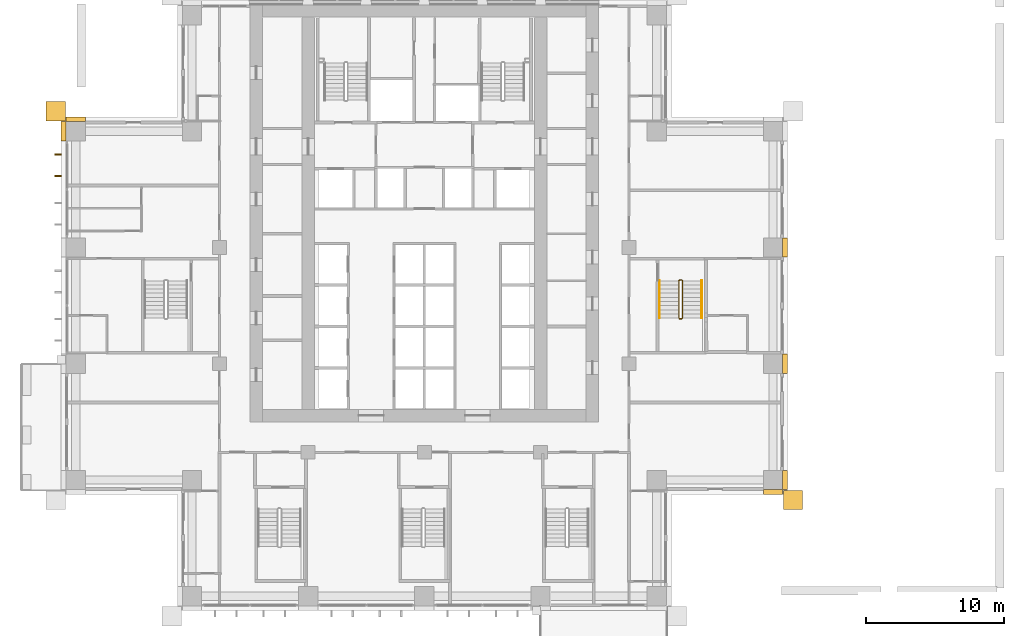
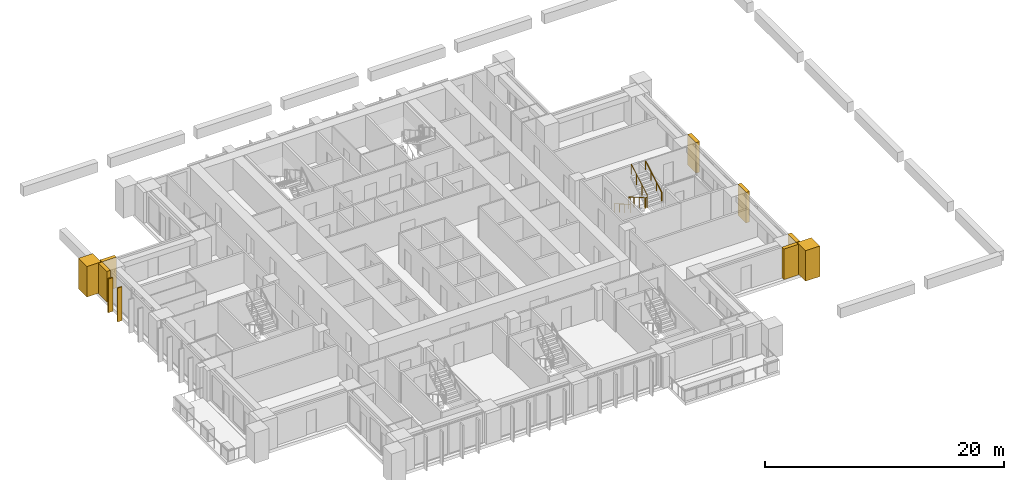
# One storey, part 17 of 18: 10 coverings, 3 railings.
"""IFC4 building model written with IfcOpenShell, lengths in metres."""

from ifc_helpers import new_model, si_unit, direction, frame, origin, origin_2d, place, context, subcontext, project, spatial, polyline, rectangle, outline, extrude, material, layer, layer_set, type_object, element, save


model = new_model("IFC4")

# Units and contexts
model_context = context("Model", 3, precision=1e-05, world=origin(), true_north=direction((0.0, 1.0)))
body_context = subcontext(model_context, "Body", "Model", "MODEL_VIEW")
ifc_project = project(units=[si_unit("LENGTHUNIT", "METRE"), si_unit("AREAUNIT", "SQUARE_METRE"), si_unit("VOLUMEUNIT", "CUBIC_METRE"), si_unit("PLANEANGLEUNIT", "RADIAN"), si_unit("MASSUNIT", "GRAM", prefix="KILO")], contexts=[model_context])

# Site, building, storey
site_placement = place(None, origin())
site = spatial("IfcSite", under=ifc_project, at=site_placement, CompositionType="ELEMENT")
building_placement = place(site_placement, origin())
building = spatial("IfcBuilding", under=site, at=building_placement, Name="Vermilion Ogive Tower", CompositionType="ELEMENT")
storey_placement = place(building_placement, frame((0.0, 0.0, 34.5)))
storey = spatial("IfcBuildingStorey", under=building, at=storey_placement, Name="L06", CompositionType="ELEMENT", Elevation=34.5)

# Coverings
ifc_material_1 = material(Name="Glazed ceramic screen")
ifc_layer = layer(ifc_material_1, 0.14990234375)
ifc_layer_set = layer_set([ifc_layer], Name="Ceramic solar screen fin")
covering_type_1 = type_object("IfcCoveringType", Name="Ceramic solar screen fin", PredefinedType="CLADDING", material=ifc_layer_set)
covering_1_placement = place(storey_placement, frame((0.0, 0.0, -0.320068359375)))
element("IfcCovering", 1, at=covering_1_placement, inside=storey, type_object=covering_type_1, Name="Solar screen blade W021", PredefinedType="CLADDING", context=body_context, shape_type="SweptSolid", body=[
    extrude(outline(polyline([(-26.699951171875, 10.985107421875), (-26.699951171875, 10.864990234375), (-26.25, 10.864990234375), (-26.25, 10.985107421875), (-26.699951171875, 10.985107421875)])), origin(), (0.0, 0.0, 1.0), 3.449951171875),
])
covering_2_placement = place(storey_placement, frame((0.0, 0.0, -0.320068359375)))
element("IfcCovering", 2, at=covering_2_placement, inside=storey, type_object=covering_type_1, Name="Solar screen blade W022", PredefinedType="CLADDING", context=body_context, shape_type="SweptSolid", body=[
    extrude(outline(polyline([(-26.699951171875, 9.43505859375), (-26.699951171875, 9.31494140625), (-26.25, 9.31494140625), (-26.25, 9.43505859375), (-26.699951171875, 9.43505859375)])), origin(), (0.0, 0.0, 1.0), 3.449951171875),
])

# Railings
ifc_material_2 = material(Name="Steel S355 painted", Category="steel")
railing_type_1 = type_object("IfcRailingType", Name="Stair guard 1100", PredefinedType="GUARDRAIL", material=ifc_material_2)
railing_1_placement = place(storey_placement, frame((18.60009765625, 1.85009765625, 0.0)))
element("IfcRailing", 3, at=railing_1_placement, inside=storey, type_object=railing_type_1, Name="L06 ST8 stair guard 4", PredefinedType="GUARDRAIL", context=body_context, shape_type="SweptSolid", body=[
    extrude(rectangle(XDim=0.048095703125, YDim=0.048095703125, at=origin_2d()), frame((0.0, 0.0, 1.076171875), z_axis=(-1.0, 0.0, 0.0), x_axis=(0.0, -1.0, 0.0)), (0.0, 0.0, 1.0), 0.150146484375),
    extrude(rectangle(XDim=0.048095703125, YDim=0.048095703125, at=origin_2d()), frame((-0.150146484375, 0.0, 1.076171875), z_axis=(-0.268277960024, -0.268277960024, 0.925231793839), x_axis=(0.707106781187, -0.707106781187, 0.0)), (0.0, 0.0, 1.0), 0.1865234375),
    extrude(rectangle(XDim=0.048095703125, YDim=0.048095703125, at=origin_2d()), frame((-0.2001953125, -0.050048828125, 1.24853515625), z_axis=(0.0, -0.866903762492, 0.498475542607), x_axis=(1.0, 0.0, 0.0)), (0.0, 0.0, 1.0), 3.114501953125),
    extrude(rectangle(XDim=0.048095703125, YDim=0.048095703125, at=origin_2d()), frame((-0.2001953125, -2.75, 2.80126953125), z_axis=(0.707106781187, -0.707106781187, 0.0), x_axis=(0.707106781187, 0.707106781187, 0.0)), (0.0, 0.0, 1.0), 0.07080078125),
    extrude(rectangle(XDim=0.048095703125, YDim=0.048095703125, at=origin_2d()), frame((-0.150146484375, -2.800048828125, 2.80126953125), z_axis=(1.0, 0.0, 0.0), x_axis=(0.0, 1.0, 0.0)), (0.0, 0.0, 1.0), 0.150146484375),
    extrude(rectangle(XDim=0.048095703125, YDim=0.048095703125, at=origin_2d()), frame((0.0, -2.800048828125, 2.80126953125), z_axis=(0.267386790225, 0.268697509785, 0.925368009307), x_axis=(-0.708833529934, 0.705375805398, 0.0)), (0.0, 0.0, 1.0), 0.186279296875),
    extrude(rectangle(XDim=0.048095703125, YDim=0.048095703125, at=origin_2d()), frame((0.0498046875, -2.75, 2.9736328125), z_axis=(0.0, 0.866903762492, 0.498475542607), x_axis=(-1.0, 0.0, 0.0)), (0.0, 0.0, 1.0), 3.114501953125),
    extrude(rectangle(XDim=0.0419921875, YDim=0.0419921875, at=origin_2d()), origin(), (0.0, 0.0, 1.0), 1.052001953125),
    extrude(rectangle(XDim=0.0419921875, YDim=0.0419921875, at=origin_2d()), frame((-0.150146484375, 0.0, 0.0)), (0.0, 0.0, 1.0), 1.052001953125),
    extrude(rectangle(XDim=0.0419921875, YDim=0.0419921875, at=origin_2d()), frame((-0.2001953125, -0.050048828125, 0.172607421875)), (0.0, 0.0, 1.0), 1.052001953125),
    extrude(rectangle(XDim=0.0419921875, YDim=0.0419921875, at=origin_2d()), frame((-0.2001953125, -0.949951171875, 0.690185546875)), (0.0, 0.0, 1.0), 1.052001953125),
    extrude(rectangle(XDim=0.0419921875, YDim=0.0419921875, at=origin_2d()), frame((-0.2001953125, -1.85009765625, 1.20751953125)), (0.0, 0.0, 1.0), 1.052001953125),
    extrude(rectangle(XDim=0.0419921875, YDim=0.0419921875, at=origin_2d()), frame((-0.2001953125, -2.75, 1.72509765625)), (0.0, 0.0, 1.0), 1.052001953125),
    extrude(rectangle(XDim=0.0419921875, YDim=0.0419921875, at=origin_2d()), frame((-0.150146484375, -2.800048828125, 1.72509765625)), (0.0, 0.0, 1.0), 1.052001953125),
    extrude(rectangle(XDim=0.0419921875, YDim=0.0419921875, at=origin_2d()), frame((0.0, -2.800048828125, 1.72509765625)), (0.0, 0.0, 1.0), 1.052001953125),
    extrude(rectangle(XDim=0.0419921875, YDim=0.0419921875, at=origin_2d()), frame((0.0498046875, -2.75, 1.8974609375)), (0.0, 0.0, 1.0), 1.052001953125),
    extrude(rectangle(XDim=0.0419921875, YDim=0.0419921875, at=origin_2d()), frame((0.0498046875, -1.85009765625, 2.4150390625)), (0.0, 0.0, 1.0), 1.052001953125),
    extrude(rectangle(XDim=0.0419921875, YDim=0.0419921875, at=origin_2d()), frame((0.0498046875, -0.949951171875, 2.932373046875)), (0.0, 0.0, 1.0), 1.052001953125),
    extrude(rectangle(XDim=0.0419921875, YDim=0.0419921875, at=origin_2d()), frame((0.0498046875, -0.050048828125, 3.449951171875)), (0.0, 0.0, 1.0), 1.052001953125),
])
ifc_material_3 = material(Name="Stainless steel", Category="steel")
railing_type_2 = type_object("IfcRailingType", Name="Stair handrail 900", PredefinedType="HANDRAIL", material=ifc_material_3)
railing_2_placement = place(storey_placement, frame((17.0, 1.800048828125, 0.172607421875)))
element("IfcRailing", 4, at=railing_2_placement, inside=storey, type_object=railing_type_2, Name="L06 ST8 stair handrail 1", PredefinedType="HANDRAIL", context=body_context, shape_type="SweptSolid", body=[
    extrude(rectangle(XDim=0.048095703125, YDim=0.048095703125, at=origin_2d()), frame((0.0, 0.0, 0.8759765625), z_axis=(0.0, -0.866903762492, 0.498475542607), x_axis=(1.0, 0.0, 0.0)), (0.0, 0.0, 1.0), 3.114501953125),
    extrude(rectangle(XDim=0.0419921875, YDim=0.0419921875, at=origin_2d()), origin(), (0.0, 0.0, 1.0), 0.851806640625),
    extrude(rectangle(XDim=0.0419921875, YDim=0.0419921875, at=origin_2d()), frame((0.0, -0.89990234375, 0.517578125)), (0.0, 0.0, 1.0), 0.851806640625),
    extrude(rectangle(XDim=0.0419921875, YDim=0.0419921875, at=origin_2d()), frame((0.0, -1.800048828125, 1.034912109375)), (0.0, 0.0, 1.0), 0.851806640625),
    extrude(rectangle(XDim=0.0419921875, YDim=0.0419921875, at=origin_2d()), frame((0.0, -2.699951171875, 1.552490234375)), (0.0, 0.0, 1.0), 0.851806640625),
])
railing_3_placement = place(storey_placement, frame((20.050048828125, -0.89990234375, 1.8974609375)))
element("IfcRailing", 5, at=railing_3_placement, inside=storey, type_object=railing_type_2, Name="L06 ST8 stair handrail 2", PredefinedType="HANDRAIL", context=body_context, shape_type="SweptSolid", body=[
    extrude(rectangle(XDim=0.048095703125, YDim=0.048095703125, at=origin_2d()), frame((0.0, 0.0, 0.8759765625), z_axis=(0.0, 0.866903762492, 0.498475542607), x_axis=(-1.0, 0.0, 0.0)), (0.0, 0.0, 1.0), 3.114501953125),
    extrude(rectangle(XDim=0.0419921875, YDim=0.0419921875, at=origin_2d()), origin(), (0.0, 0.0, 1.0), 0.851806640625),
    extrude(rectangle(XDim=0.0419921875, YDim=0.0419921875, at=origin_2d()), frame((0.0, 0.89990234375, 0.517578125)), (0.0, 0.0, 1.0), 0.851806640625),
    extrude(rectangle(XDim=0.0419921875, YDim=0.0419921875, at=origin_2d()), frame((0.0, 1.800048828125, 1.034912109375)), (0.0, 0.0, 1.0), 0.851806640625),
    extrude(rectangle(XDim=0.0419921875, YDim=0.0419921875, at=origin_2d()), frame((0.0, 2.699951171875, 1.552490234375)), (0.0, 0.0, 1.0), 0.851806640625),
])

# Coverings
ifc_material_4 = material(Name="Stone cladding", Category="masonry")
covering_type_2 = type_object("IfcCoveringType", Name="Stone corner buttress", PredefinedType="CLADDING", material=ifc_material_4)
covering_3_placement = place(storey_placement, origin())
element("IfcCovering", 6, at=covering_3_placement, inside=storey, type_object=covering_type_2, Name="Stone corner buttress E1", PredefinedType="CLADDING", context=body_context, shape_type="SweptSolid", body=[
    extrude(outline(polyline([(27.35009765625, -14.75), (25.949951171875, -14.75), (25.949951171875, -13.35009765625), (27.35009765625, -13.35009765625), (27.35009765625, -14.75)])), origin(), (0.0, 0.0, 1.0), 3.1298828125),
])
covering_4_placement = place(storey_placement, origin())
element("IfcCovering", 7, at=covering_4_placement, inside=storey, type_object=covering_type_2, Name="Stone corner buttress W1", PredefinedType="CLADDING", context=body_context, shape_type="SweptSolid", body=[
    extrude(outline(polyline([(-27.35009765625, 14.75), (-25.949951171875, 14.75), (-25.949951171875, 13.35009765625), (-27.35009765625, 13.35009765625), (-27.35009765625, 14.75)])), origin(), (0.0, 0.0, 1.0), 3.1298828125),
])
ifc_material_5 = material(Name="Stone cladding", Category="masonry")
covering_type_3 = type_object("IfcCoveringType", Name="Stone pier", PredefinedType="CLADDING", material=ifc_material_5)
covering_5_placement = place(storey_placement, origin())
element("IfcCovering", 8, at=covering_5_placement, inside=storey, type_object=covering_type_3, Name="Stone pier P+0252+042", PredefinedType="CLADDING", context=body_context, shape_type="SweptSolid", body=[
    extrude(outline(polyline([(26.25, 4.89990234375), (26.25, 3.5), (25.89990234375, 3.5), (25.89990234375, 4.89990234375), (26.25, 4.89990234375)])), origin(), (0.0, 0.0, 1.0), 3.1298828125),
])
covering_6_placement = place(storey_placement, origin())
element("IfcCovering", 9, at=covering_6_placement, inside=storey, type_object=covering_type_3, Name="Stone pier P+0252-042", PredefinedType="CLADDING", context=body_context, shape_type="SweptSolid", body=[
    extrude(outline(polyline([(26.25, -3.5), (26.25, -4.89990234375), (25.89990234375, -4.89990234375), (25.89990234375, -3.5), (26.25, -3.5)])), origin(), (0.0, 0.0, 1.0), 3.1298828125),
])
covering_7_placement = place(storey_placement, origin())
element("IfcCovering", 10, at=covering_7_placement, inside=storey, type_object=covering_type_3, Name="Stone pier P+0252-126X2", PredefinedType="CLADDING", context=body_context, shape_type="SweptSolid", body=[
    extrude(outline(polyline([(25.89990234375, -13.300048828125), (25.89990234375, -13.64990234375), (24.5, -13.64990234375), (24.5, -13.300048828125), (24.5, -13.300048828125), (25.89990234375, -13.300048828125)])), origin(), (0.0, 0.0, 1.0), 3.1298828125),
])
covering_8_placement = place(storey_placement, origin())
element("IfcCovering", 11, at=covering_8_placement, inside=storey, type_object=covering_type_3, Name="Stone pier P+0252-126E", PredefinedType="CLADDING", context=body_context, shape_type="SweptSolid", body=[
    extrude(outline(polyline([(26.25, -13.300048828125), (25.89990234375, -13.300048828125), (25.89990234375, -11.89990234375), (26.25, -11.89990234375), (26.25, -13.300048828125)])), origin(), (0.0, 0.0, 1.0), 3.1298828125),
])
covering_9_placement = place(storey_placement, origin())
element("IfcCovering", 12, at=covering_9_placement, inside=storey, type_object=covering_type_3, Name="Stone pier P-0252+126X6", PredefinedType="CLADDING", context=body_context, shape_type="SweptSolid", body=[
    extrude(outline(polyline([(-25.89990234375, 13.300048828125), (-25.89990234375, 13.64990234375), (-24.5, 13.64990234375), (-24.5, 13.300048828125), (-24.5, 13.300048828125), (-25.89990234375, 13.300048828125)])), origin(), (0.0, 0.0, 1.0), 3.1298828125),
])
covering_10_placement = place(storey_placement, origin())
element("IfcCovering", 13, at=covering_10_placement, inside=storey, type_object=covering_type_3, Name="Stone pier P-0252+126W", PredefinedType="CLADDING", context=body_context, shape_type="SweptSolid", body=[
    extrude(outline(polyline([(-26.25, 13.300048828125), (-25.89990234375, 13.300048828125), (-25.89990234375, 11.89990234375), (-26.25, 11.89990234375), (-26.25, 13.300048828125)])), origin(), (0.0, 0.0, 1.0), 3.1298828125),
])

save(model, "model.ifc")
